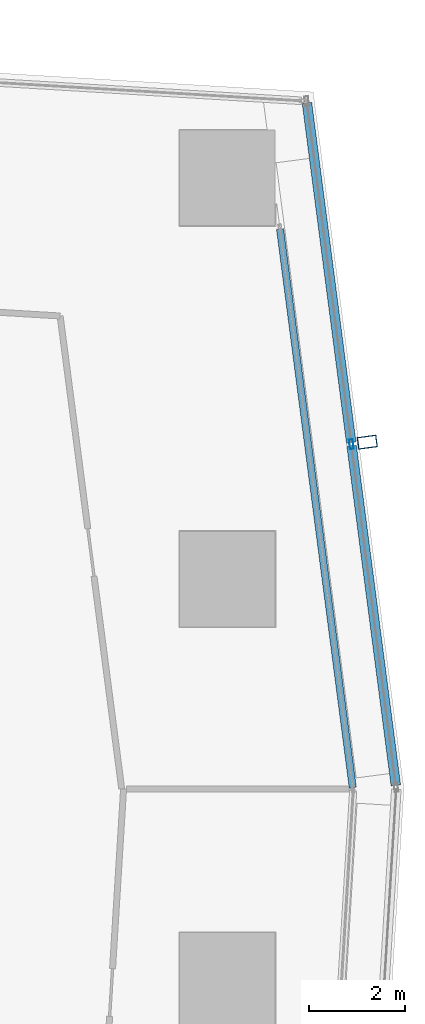
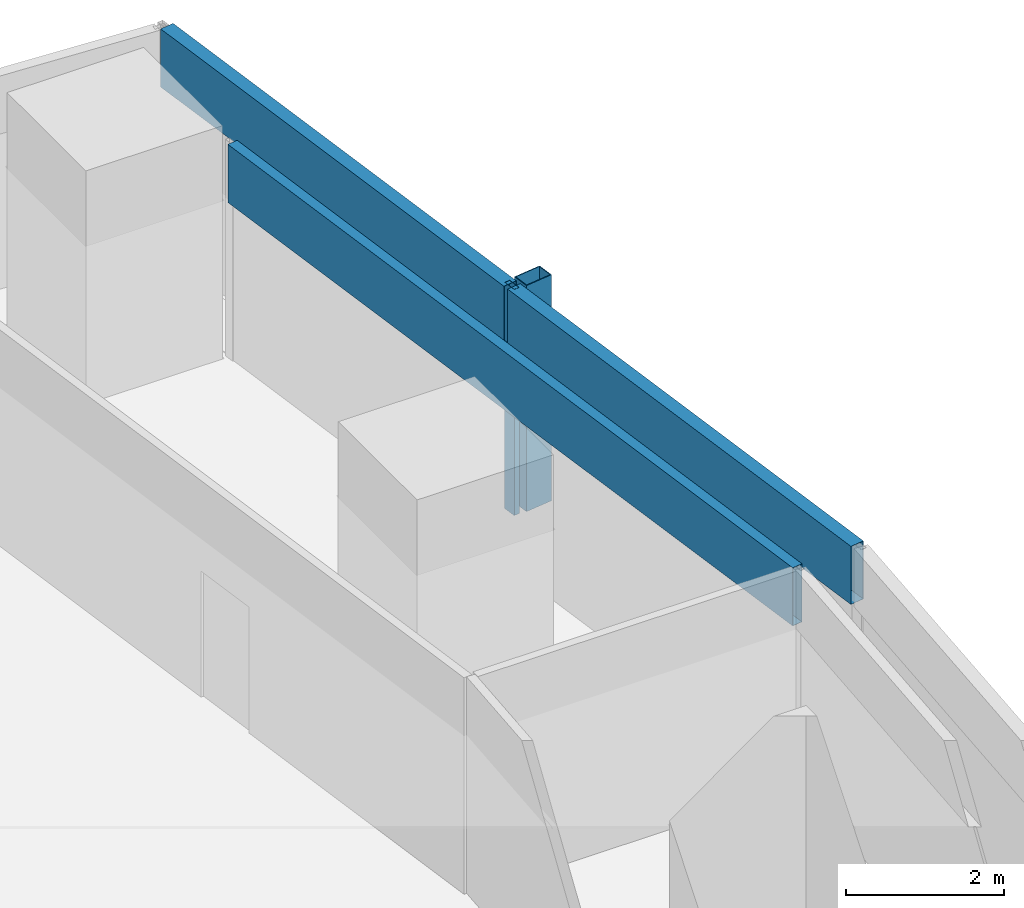
# One storey, part 26 of 39: 5 members, 2 elements without a shape of their own.
"""IFC4 building model written with IfcOpenShell, lengths in metres."""

from ifc_helpers import new_model, si_unit, direction, frame, origin, origin_2d, place, context, subcontext, project, spatial, hollow_rectangle, extrude, material, material_profile, profile_set, type_object, element, aggregate, save


model = new_model("IFC4")

# Units and contexts
model_context = context("Model", 3, precision=1e-05, world=origin(), true_north=direction((0.0, 1.0)))
body_context = subcontext(model_context, "Body", "Model", "MODEL_VIEW")
ifc_project = project(units=[si_unit("LENGTHUNIT", "METRE"), si_unit("AREAUNIT", "SQUARE_METRE"), si_unit("VOLUMEUNIT", "CUBIC_METRE"), si_unit("PLANEANGLEUNIT", "RADIAN"), si_unit("MASSUNIT", "GRAM", prefix="KILO")], contexts=[model_context])

# Site, building, storey
site_placement = place(None, origin())
site = spatial("IfcSite", under=ifc_project, at=site_placement, CompositionType="ELEMENT")
building_placement = place(site_placement, origin())
building = spatial("IfcBuilding", under=site, at=building_placement, Name="Rekha Terrace Tower", CompositionType="ELEMENT")
storey_placement = place(building_placement, frame((0.0, 0.0, 151.550048828125)))
storey = spatial("IfcBuildingStorey", under=building, at=storey_placement, Name="L38", CompositionType="ELEMENT", Elevation=151.550048828125)

# Curtain wall, member
ifc_material_1 = material(Name="Aluminium framing", Category="aluminium")
curtain_wall_type_1 = type_object("IfcCurtainWallType", Name="CW2 double skin outer glazing", PredefinedType="USERDEFINED", material=ifc_material_1)
curtain_wall_1_placement = place(storey_placement, origin())
curtain_wall_1 = element("IfcCurtainWall", 1, at=curtain_wall_1_placement, inside=storey, type_object=curtain_wall_type_1, Name="CW2 double skin outer glazing", ObjectType="DOUBLE SKIN OUTER GLAZING", PredefinedType="USERDEFINED")
ifc_material_2 = material(Name="Steel S355 with fluorocarbon finish", Category="steel")
ifc_material_profile_1 = material_profile(ifc_material_2, hollow_rectangle(XDim=0.25, YDim=0.39990234375, WallThickness=0.012451171875, at=origin_2d()), Name="RHS400x250x12.5")
ifc_profile_set_1 = profile_set([ifc_material_profile_1], Name="Steel S355 with fluorocarbon finish")
member_type_1 = type_object("IfcMemberType", Name="BL1 facade blade RHS 400 x 250", PredefinedType="USERDEFINED", material=ifc_profile_set_1)
member_1_placement = place(storey_placement, frame((70.131103515625, 53.2685546875, 0.0), z_axis=(0.0, 0.0, 1.0), x_axis=(-0.129119247945, 0.991629073702, 0.0)))
member_1 = element("IfcMember", 2, at=member_1_placement, type_object=member_type_1, Name="Facade blade", ObjectType="FACADE BLADE", PredefinedType="USERDEFINED", context=body_context, shape_type="SweptSolid", body=[
    extrude(hollow_rectangle(XDim=0.25, YDim=0.39990234375, WallThickness=0.012451171875, at=origin_2d()), origin(), (0.0, 0.0, 1.0), 3.5),
])

curtain_wall_type_2 = type_object("IfcCurtainWallType", Name="CW1 double skin inner glazing", PredefinedType="USERDEFINED", material=ifc_material_1)
curtain_wall_2_placement = place(storey_placement, origin())
curtain_wall_2 = element("IfcCurtainWall", 3, at=curtain_wall_2_placement, inside=storey, type_object=curtain_wall_type_2, Name="CW1 double skin inner glazing", ObjectType="DOUBLE SKIN INNER GLAZING", PredefinedType="USERDEFINED")
ifc_material_3 = material(Name="Insulated aluminium spandrel box", Category="aluminium")
ifc_material_profile_2 = material_profile(ifc_material_3, hollow_rectangle(XDim=0.14990234375, YDim=0.89990234375, WallThickness=0.0029296875, at=origin_2d()), Name="AL SPANDREL BOX 150x900")
ifc_profile_set_2 = profile_set([ifc_material_profile_2], Name="Insulated aluminium spandrel box")
member_type_2 = type_object("IfcMemberType", Name="CW1 spandrel transom 150 x 900", PredefinedType="USERDEFINED", material=ifc_profile_set_2)
member_2_placement = place(storey_placement, frame((69.827392578125, 46.0361328125, 3.050048828125), z_axis=(-0.129124958583, 0.991628330107, 0.0), x_axis=(-0.991628330107, -0.129124958583, 0.0)))
member_2 = element("IfcMember", 4, at=member_2_placement, type_object=member_type_2, Name="CW1 spandrel transom 1", ObjectType="TRANSOM", PredefinedType="USERDEFINED", context=body_context, shape_type="SweptSolid", body=[
    extrude(hollow_rectangle(XDim=0.14990234375, YDim=0.89990234375, WallThickness=0.0029296875, at=origin_2d()), origin(), (0.0, 0.0, 1.0), 11.79052734375),
])
aggregate(curtain_wall_2, [member_2])

# Member
ifc_material_4 = material(Name="Aluminium mullion section", Category="aluminium")
ifc_material_profile_3 = material_profile(ifc_material_4, hollow_rectangle(XDim=0.080078125, YDim=0.199951171875, WallThickness=0.00390625, at=origin_2d()), Name="AL RHS 80x200")
ifc_profile_set_3 = profile_set([ifc_material_profile_3], Name="Aluminium mullion section")
member_type_3 = type_object("IfcMemberType", Name="CW2 mullion RHS 80 x 200", PredefinedType="MULLION", material=ifc_profile_set_3)
member_3_placement = place(storey_placement, frame((69.798828125, 53.225341796875, 0.0), z_axis=(0.0, 0.0, 1.0), x_axis=(-0.991629186244, -0.129118383623, 0.0)))
member_3 = element("IfcMember", 5, at=member_3_placement, type_object=member_type_3, Name="CW2 mullion 2", PredefinedType="MULLION", context=body_context, shape_type="SweptSolid", body=[
    extrude(hollow_rectangle(XDim=0.080078125, YDim=0.199951171875, WallThickness=0.00390625, at=origin_2d()), origin(), (0.0, 0.0, 1.0), 3.5),
])

ifc_material_profile_4 = material_profile(ifc_material_3, hollow_rectangle(XDim=0.199951171875, YDim=0.89990234375, WallThickness=0.0029296875, at=origin_2d()), Name="AL SPANDREL BOX 200x900")
ifc_profile_set_4 = profile_set([ifc_material_profile_4], Name="Insulated aluminium spandrel box")
member_type_4 = type_object("IfcMemberType", Name="CW2 spandrel transom 200 x 900", PredefinedType="USERDEFINED", material=ifc_profile_set_4)
member_4_placement = place(storey_placement, frame((70.72900390625, 46.081787109375, 3.050048828125), z_axis=(-0.129125015962, 0.991628322635, 0.0), x_axis=(-0.991628322635, -0.129125015962, 0.0)))
member_4 = element("IfcMember", 6, at=member_4_placement, type_object=member_type_4, Name="CW2 spandrel transom 1", ObjectType="TRANSOM", PredefinedType="USERDEFINED", context=body_context, shape_type="SweptSolid", body=[
    extrude(hollow_rectangle(XDim=0.199951171875, YDim=0.89990234375, WallThickness=0.0029296875, at=origin_2d()), origin(), (0.0, 0.0, 1.0), 7.1640625),
])

member_5_placement = place(storey_placement, frame((69.793701171875, 53.26513671875, 3.050048828125), z_axis=(-0.12912937971, 0.9916277544, 0.0), x_axis=(-0.9916277544, -0.12912937971, 0.0)))
member_5 = element("IfcMember", 7, at=member_5_placement, type_object=member_type_4, Name="CW2 spandrel transom 2", ObjectType="TRANSOM", PredefinedType="USERDEFINED", context=body_context, shape_type="SweptSolid", body=[
    extrude(hollow_rectangle(XDim=0.199951171875, YDim=0.89990234375, WallThickness=0.0029296875, at=origin_2d()), origin(), (0.0, 0.0, 1.0), 7.163818359375),
])

aggregate(curtain_wall_1, [member_3, member_4, member_5, member_1])

save(model, "model.ifc")
